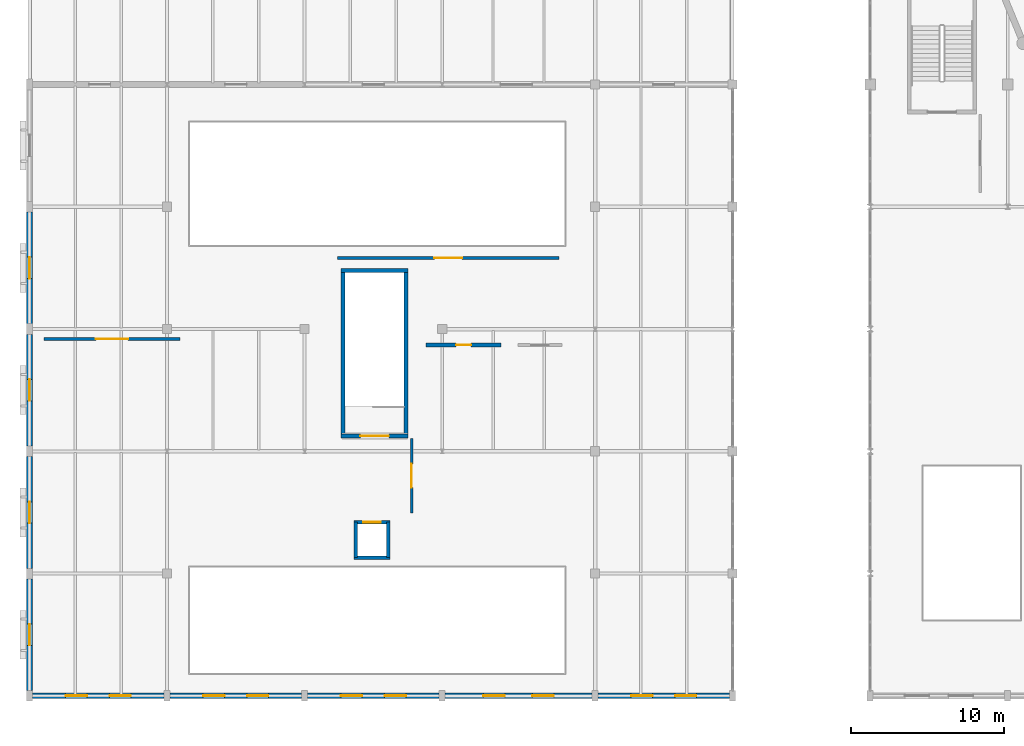
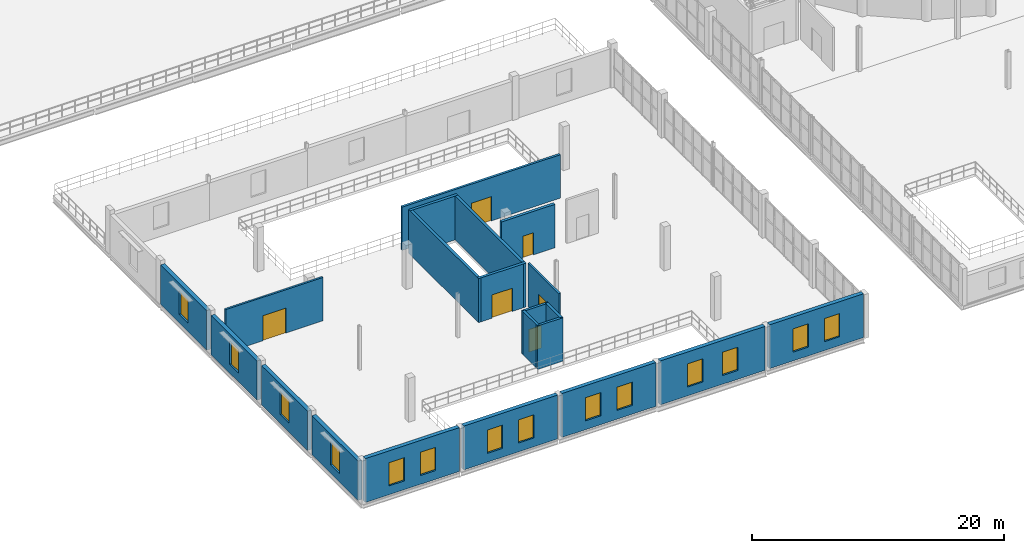
# One storey, part 54 of 73: 21 walls, 14 windows, 6 doors, 20 openings.
"""IFC4 building model written with IfcOpenShell, lengths in metres."""

from ifc_helpers import new_model, si_unit, direction, frame, frame_2d, origin, place, context, subcontext, project, spatial, rectangle, extrude, material, layer, layer_set, type_object, element, fill, save


model = new_model("IFC4")

# Units and contexts
model_context = context("Model", 3, precision=1e-05, world=origin(), true_north=direction((0.0, 1.0)))
body_context = subcontext(model_context, "Body", "Model", "MODEL_VIEW")
ifc_project = project(units=[si_unit("LENGTHUNIT", "METRE"), si_unit("AREAUNIT", "SQUARE_METRE"), si_unit("VOLUMEUNIT", "CUBIC_METRE"), si_unit("PLANEANGLEUNIT", "RADIAN"), si_unit("MASSUNIT", "GRAM", prefix="KILO")], contexts=[model_context])

# Site, building, storey
site_placement = place(None, origin())
site = spatial("IfcSite", under=ifc_project, at=site_placement, CompositionType="ELEMENT")
building_placement = place(site_placement, origin())
building = spatial("IfcBuilding", under=site, at=building_placement, Name="Marnock Terrace Opera House", CompositionType="ELEMENT")
storey_placement = place(building_placement, frame((0.0, 0.0, 14.699951171875)))
storey = spatial("IfcBuildingStorey", under=building, at=storey_placement, Name="L03", CompositionType="ELEMENT", Elevation=14.699951171875)

# Wall, openings, windows
ifc_material_1 = material(Name="Basket Range sandstone ashlar masonry", Category="masonry")
ifc_layer_1 = layer(ifc_material_1, 0.364990234375)
ifc_layer_set_1 = layer_set([ifc_layer_1], Name="Basket Range sandstone ashlar masonry")
wall_type_1 = type_object("IfcWallType", Name="EW-ASHLAR-365", PredefinedType="SOLIDWALL", material=ifc_layer_set_1)
wall_1_placement = place(storey_placement, frame((0.196044921875, 8.0, 0.0), z_axis=(0.0, 0.0, 1.0), x_axis=(1.0, 0.0, 0.0)))
wall_1 = element("IfcWall", 1, at=wall_1_placement, inside=storey, type_object=wall_type_1, Name="L03 Volume 3 south sandstone wall 1", PredefinedType="SOLIDWALL", context=body_context, shape_type="SweptSolid", body=[
    extrude(rectangle(XDim=8.60791015625, YDim=0.364990234375, at=frame_2d((4.303955078125, 0.0))), origin(), (0.0, 0.0, 1.0), 4.25),
])
opening_1_placement = place(wall_1_placement, frame((2.169189453125, 0.0, 0.85009765625)))
opening_1 = element("IfcOpeningElement", 2, at=opening_1_placement, cuts=wall_1, Name="Opening WT-139", PredefinedType="OPENING", context=body_context, shape_type="SweptSolid", body=[
    extrude(rectangle(XDim=1.39990234375, YDim=2.25, at=frame_2d((0.699951171875, 1.125))), frame((0.0, 0.1923828125, 0.0), z_axis=(0.0, -1.0, 0.0), x_axis=(1.0, 0.0, 0.0)), (0.0, 0.0, 1.0), 0.385009765625),
])
opening_2_placement = place(wall_1_placement, frame((5.038818359375, 0.0, 0.85009765625)))
opening_2 = element("IfcOpeningElement", 3, at=opening_2_placement, cuts=wall_1, Name="Opening WT-139", PredefinedType="OPENING", context=body_context, shape_type="SweptSolid", body=[
    extrude(rectangle(XDim=1.39990234375, YDim=2.25, at=frame_2d((0.699951171875, 1.125))), frame((0.0, 0.1923828125, 0.0), z_axis=(0.0, -1.0, 0.0), x_axis=(1.0, 0.0, 0.0)), (0.0, 0.0, 1.0), 0.385009765625),
])
ifc_material_2 = material(Name="Double-glazed acoustic low-E laminated glass", Category="glass")
window_type = type_object("IfcWindowType", Name="WT-SUITE-1400", PartitioningType="SINGLE_PANEL", PredefinedType="WINDOW", material=ifc_material_2)
window_1_placement = place(opening_1_placement, origin())
window_1 = element("IfcWindow", 4, at=window_1_placement, inside=storey, type_object=window_type, Name="L03 facade window EW-V3S-L03-1.1", OverallHeight=2.25, OverallWidth=1.39990234375, PartitioningType="SINGLE_PANEL", PredefinedType="WINDOW", context=body_context, shape_type="SweptSolid", body=[
    extrude(rectangle(XDim=1.39990234375, YDim=2.25, at=frame_2d((0.699951171875, 1.125))), frame((0.0, 0.030029296875, 0.0), z_axis=(0.0, -1.0, 0.0), x_axis=(1.0, 0.0, 0.0)), (0.0, 0.0, 1.0), 0.06005859375),
])
fill(opening_1, window_1)
window_2_placement = place(opening_2_placement, origin())
window_2 = element("IfcWindow", 5, at=window_2_placement, inside=storey, type_object=window_type, Name="L03 facade window EW-V3S-L03-1.2", OverallHeight=2.25, OverallWidth=1.39990234375, PartitioningType="SINGLE_PANEL", PredefinedType="WINDOW", context=body_context, shape_type="SweptSolid", body=[
    extrude(rectangle(XDim=1.39990234375, YDim=2.25, at=frame_2d((0.699951171875, 1.125))), frame((0.0, 0.030029296875, 0.0), z_axis=(0.0, -1.0, 0.0), x_axis=(1.0, 0.0, 0.0)), (0.0, 0.0, 1.0), 0.06005859375),
])
fill(opening_2, window_2)

wall_2_placement = place(storey_placement, frame((9.196044921875, 8.0, 0.0), z_axis=(0.0, 0.0, 1.0), x_axis=(1.0, 0.0, 0.0)))
wall_2 = element("IfcWall", 6, at=wall_2_placement, inside=storey, type_object=wall_type_1, Name="L03 Volume 3 south sandstone wall 2", PredefinedType="SOLIDWALL", context=body_context, shape_type="SweptSolid", body=[
    extrude(rectangle(XDim=8.60791015625, YDim=0.364990234375, at=frame_2d((4.303955078125, 0.0))), origin(), (0.0, 0.0, 1.0), 4.25),
])
opening_3_placement = place(wall_2_placement, frame((2.169189453125, 0.0, 0.85009765625)))
opening_3 = element("IfcOpeningElement", 7, at=opening_3_placement, cuts=wall_2, Name="Opening WT-139", PredefinedType="OPENING", context=body_context, shape_type="SweptSolid", body=[
    extrude(rectangle(XDim=1.39990234375, YDim=2.25, at=frame_2d((0.699951171875, 1.125))), frame((0.0, 0.1923828125, 0.0), z_axis=(0.0, -1.0, 0.0), x_axis=(1.0, 0.0, 0.0)), (0.0, 0.0, 1.0), 0.385009765625),
])
opening_4_placement = place(wall_2_placement, frame((5.038818359375, 0.0, 0.85009765625)))
opening_4 = element("IfcOpeningElement", 8, at=opening_4_placement, cuts=wall_2, Name="Opening WT-139", PredefinedType="OPENING", context=body_context, shape_type="SweptSolid", body=[
    extrude(rectangle(XDim=1.39990234375, YDim=2.25, at=frame_2d((0.699951171875, 1.125))), frame((0.0, 0.1923828125, 0.0), z_axis=(0.0, -1.0, 0.0), x_axis=(1.0, 0.0, 0.0)), (0.0, 0.0, 1.0), 0.385009765625),
])
window_3_placement = place(opening_3_placement, origin())
window_3 = element("IfcWindow", 9, at=window_3_placement, inside=storey, type_object=window_type, Name="L03 facade window EW-V3S-L03-2.1", OverallHeight=2.25, OverallWidth=1.39990234375, PartitioningType="SINGLE_PANEL", PredefinedType="WINDOW", context=body_context, shape_type="SweptSolid", body=[
    extrude(rectangle(XDim=1.39990234375, YDim=2.25, at=frame_2d((0.699951171875, 1.125))), frame((0.0, 0.030029296875, 0.0), z_axis=(0.0, -1.0, 0.0), x_axis=(1.0, 0.0, 0.0)), (0.0, 0.0, 1.0), 0.06005859375),
])
fill(opening_3, window_3)
window_4_placement = place(opening_4_placement, origin())
window_4 = element("IfcWindow", 10, at=window_4_placement, inside=storey, type_object=window_type, Name="L03 facade window EW-V3S-L03-2.2", OverallHeight=2.25, OverallWidth=1.39990234375, PartitioningType="SINGLE_PANEL", PredefinedType="WINDOW", context=body_context, shape_type="SweptSolid", body=[
    extrude(rectangle(XDim=1.39990234375, YDim=2.25, at=frame_2d((0.699951171875, 1.125))), frame((0.0, 0.030029296875, 0.0), z_axis=(0.0, -1.0, 0.0), x_axis=(1.0, 0.0, 0.0)), (0.0, 0.0, 1.0), 0.06005859375),
])
fill(opening_4, window_4)

wall_3_placement = place(storey_placement, frame((18.196044921875, 8.0, 0.0), z_axis=(0.0, 0.0, 1.0), x_axis=(1.0, 0.0, 0.0)))
wall_3 = element("IfcWall", 11, at=wall_3_placement, inside=storey, type_object=wall_type_1, Name="L03 Volume 3 south sandstone wall 3", PredefinedType="SOLIDWALL", context=body_context, shape_type="SweptSolid", body=[
    extrude(rectangle(XDim=8.60791015625, YDim=0.364990234375, at=frame_2d((4.303955078125, 0.0))), origin(), (0.0, 0.0, 1.0), 4.25),
])
opening_5_placement = place(wall_3_placement, frame((2.169189453125, 0.0, 0.85009765625)))
opening_5 = element("IfcOpeningElement", 12, at=opening_5_placement, cuts=wall_3, Name="Opening WT-139", PredefinedType="OPENING", context=body_context, shape_type="SweptSolid", body=[
    extrude(rectangle(XDim=1.39990234375, YDim=2.25, at=frame_2d((0.699951171875, 1.125))), frame((0.0, 0.1923828125, 0.0), z_axis=(0.0, -1.0, 0.0), x_axis=(1.0, 0.0, 0.0)), (0.0, 0.0, 1.0), 0.385009765625),
])
opening_6_placement = place(wall_3_placement, frame((5.038818359375, 0.0, 0.85009765625)))
opening_6 = element("IfcOpeningElement", 13, at=opening_6_placement, cuts=wall_3, Name="Opening WT-139", PredefinedType="OPENING", context=body_context, shape_type="SweptSolid", body=[
    extrude(rectangle(XDim=1.39990234375, YDim=2.25, at=frame_2d((0.699951171875, 1.125))), frame((0.0, 0.1923828125, 0.0), z_axis=(0.0, -1.0, 0.0), x_axis=(1.0, 0.0, 0.0)), (0.0, 0.0, 1.0), 0.385009765625),
])
window_5_placement = place(opening_5_placement, origin())
window_5 = element("IfcWindow", 14, at=window_5_placement, inside=storey, type_object=window_type, Name="L03 facade window EW-V3S-L03-3.1", OverallHeight=2.25, OverallWidth=1.39990234375, PartitioningType="SINGLE_PANEL", PredefinedType="WINDOW", context=body_context, shape_type="SweptSolid", body=[
    extrude(rectangle(XDim=1.39990234375, YDim=2.25, at=frame_2d((0.699951171875, 1.125))), frame((0.0, 0.030029296875, 0.0), z_axis=(0.0, -1.0, 0.0), x_axis=(1.0, 0.0, 0.0)), (0.0, 0.0, 1.0), 0.06005859375),
])
fill(opening_5, window_5)
window_6_placement = place(opening_6_placement, origin())
window_6 = element("IfcWindow", 15, at=window_6_placement, inside=storey, type_object=window_type, Name="L03 facade window EW-V3S-L03-3.2", OverallHeight=2.25, OverallWidth=1.39990234375, PartitioningType="SINGLE_PANEL", PredefinedType="WINDOW", context=body_context, shape_type="SweptSolid", body=[
    extrude(rectangle(XDim=1.39990234375, YDim=2.25, at=frame_2d((0.699951171875, 1.125))), frame((0.0, 0.030029296875, 0.0), z_axis=(0.0, -1.0, 0.0), x_axis=(1.0, 0.0, 0.0)), (0.0, 0.0, 1.0), 0.06005859375),
])
fill(opening_6, window_6)

wall_4_placement = place(storey_placement, frame((27.196044921875, 8.0, 0.0), z_axis=(0.0, 0.0, 1.0), x_axis=(1.0, 0.0, 0.0)))
wall_4 = element("IfcWall", 16, at=wall_4_placement, inside=storey, type_object=wall_type_1, Name="L03 Volume 3 south sandstone wall 4", PredefinedType="SOLIDWALL", context=body_context, shape_type="SweptSolid", body=[
    extrude(rectangle(XDim=9.60791015625, YDim=0.364990234375, at=frame_2d((4.803955078125, 0.0))), origin(), (0.0, 0.0, 1.0), 4.25),
])
opening_7_placement = place(wall_4_placement, frame((2.502685546875, 0.0, 0.85009765625)))
opening_7 = element("IfcOpeningElement", 17, at=opening_7_placement, cuts=wall_4, Name="Opening WT-139", PredefinedType="OPENING", context=body_context, shape_type="SweptSolid", body=[
    extrude(rectangle(XDim=1.39990234375, YDim=2.25, at=frame_2d((0.699951171875, 1.125))), frame((0.0, 0.1923828125, 0.0), z_axis=(0.0, -1.0, 0.0), x_axis=(1.0, 0.0, 0.0)), (0.0, 0.0, 1.0), 0.385009765625),
])
opening_8_placement = place(wall_4_placement, frame((5.705322265625, 0.0, 0.85009765625)))
opening_8 = element("IfcOpeningElement", 18, at=opening_8_placement, cuts=wall_4, Name="Opening WT-139", PredefinedType="OPENING", context=body_context, shape_type="SweptSolid", body=[
    extrude(rectangle(XDim=1.39990234375, YDim=2.25, at=frame_2d((0.699951171875, 1.125))), frame((0.0, 0.1923828125, 0.0), z_axis=(0.0, -1.0, 0.0), x_axis=(1.0, 0.0, 0.0)), (0.0, 0.0, 1.0), 0.385009765625),
])
window_7_placement = place(opening_7_placement, origin())
window_7 = element("IfcWindow", 19, at=window_7_placement, inside=storey, type_object=window_type, Name="L03 facade window EW-V3S-L03-4.1", OverallHeight=2.25, OverallWidth=1.39990234375, PartitioningType="SINGLE_PANEL", PredefinedType="WINDOW", context=body_context, shape_type="SweptSolid", body=[
    extrude(rectangle(XDim=1.39990234375, YDim=2.25, at=frame_2d((0.699951171875, 1.125))), frame((0.0, 0.030029296875, 0.0), z_axis=(0.0, -1.0, 0.0), x_axis=(1.0, 0.0, 0.0)), (0.0, 0.0, 1.0), 0.06005859375),
])
fill(opening_7, window_7)
window_8_placement = place(opening_8_placement, origin())
window_8 = element("IfcWindow", 20, at=window_8_placement, inside=storey, type_object=window_type, Name="L03 facade window EW-V3S-L03-4.2", OverallHeight=2.25, OverallWidth=1.39990234375, PartitioningType="SINGLE_PANEL", PredefinedType="WINDOW", context=body_context, shape_type="SweptSolid", body=[
    extrude(rectangle(XDim=1.39990234375, YDim=2.25, at=frame_2d((0.699951171875, 1.125))), frame((0.0, 0.030029296875, 0.0), z_axis=(0.0, -1.0, 0.0), x_axis=(1.0, 0.0, 0.0)), (0.0, 0.0, 1.0), 0.06005859375),
])
fill(opening_8, window_8)

wall_5_placement = place(storey_placement, frame((37.196044921875, 8.0, 0.0), z_axis=(0.0, 0.0, 1.0), x_axis=(1.0, 0.0, 0.0)))
wall_5 = element("IfcWall", 21, at=wall_5_placement, inside=storey, type_object=wall_type_1, Name="L03 Volume 3 south sandstone wall 5", PredefinedType="SOLIDWALL", context=body_context, shape_type="SweptSolid", body=[
    extrude(rectangle(XDim=8.60791015625, YDim=0.364990234375, at=frame_2d((4.303955078125, 0.0))), origin(), (0.0, 0.0, 1.0), 4.25),
])
opening_9_placement = place(wall_5_placement, frame((2.169189453125, 0.0, 0.85009765625)))
opening_9 = element("IfcOpeningElement", 22, at=opening_9_placement, cuts=wall_5, Name="Opening WT-139", PredefinedType="OPENING", context=body_context, shape_type="SweptSolid", body=[
    extrude(rectangle(XDim=1.39990234375, YDim=2.25, at=frame_2d((0.699951171875, 1.125))), frame((0.0, 0.1923828125, 0.0), z_axis=(0.0, -1.0, 0.0), x_axis=(1.0, 0.0, 0.0)), (0.0, 0.0, 1.0), 0.385009765625),
])
opening_10_placement = place(wall_5_placement, frame((5.038818359375, 0.0, 0.85009765625)))
opening_10 = element("IfcOpeningElement", 23, at=opening_10_placement, cuts=wall_5, Name="Opening WT-139", PredefinedType="OPENING", context=body_context, shape_type="SweptSolid", body=[
    extrude(rectangle(XDim=1.39990234375, YDim=2.25, at=frame_2d((0.699951171875, 1.125))), frame((0.0, 0.1923828125, 0.0), z_axis=(0.0, -1.0, 0.0), x_axis=(1.0, 0.0, 0.0)), (0.0, 0.0, 1.0), 0.385009765625),
])
window_9_placement = place(opening_9_placement, origin())
window_9 = element("IfcWindow", 24, at=window_9_placement, inside=storey, type_object=window_type, Name="L03 facade window EW-V3S-L03-5.1", OverallHeight=2.25, OverallWidth=1.39990234375, PartitioningType="SINGLE_PANEL", PredefinedType="WINDOW", context=body_context, shape_type="SweptSolid", body=[
    extrude(rectangle(XDim=1.39990234375, YDim=2.25, at=frame_2d((0.699951171875, 1.125))), frame((0.0, 0.030029296875, 0.0), z_axis=(0.0, -1.0, 0.0), x_axis=(1.0, 0.0, 0.0)), (0.0, 0.0, 1.0), 0.06005859375),
])
fill(opening_9, window_9)
window_10_placement = place(opening_10_placement, origin())
window_10 = element("IfcWindow", 25, at=window_10_placement, inside=storey, type_object=window_type, Name="L03 facade window EW-V3S-L03-5.2", OverallHeight=2.25, OverallWidth=1.39990234375, PartitioningType="SINGLE_PANEL", PredefinedType="WINDOW", context=body_context, shape_type="SweptSolid", body=[
    extrude(rectangle(XDim=1.39990234375, YDim=2.25, at=frame_2d((0.699951171875, 1.125))), frame((0.0, 0.030029296875, 0.0), z_axis=(0.0, -1.0, 0.0), x_axis=(1.0, 0.0, 0.0)), (0.0, 0.0, 1.0), 0.06005859375),
])
fill(opening_10, window_10)

# Wall, opening, window
wall_6_placement = place(storey_placement, frame((0.0, 8.345947265625, 0.0), z_axis=(0.0, 0.0, 1.0), x_axis=(0.0, 1.0, 0.0)))
wall_6 = element("IfcWall", 26, at=wall_6_placement, inside=storey, type_object=wall_type_1, Name="L03 Volume 3 west sandstone wall 1", PredefinedType="SOLIDWALL", context=body_context, shape_type="SweptSolid", body=[
    extrude(rectangle(XDim=7.30810546875, YDim=0.364990234375, at=frame_2d((3.654052734375, 0.0))), origin(), (0.0, 0.0, 1.0), 3.804443359375),
])
opening_11_placement = place(wall_6_placement, frame((2.9541015625, 0.0, 0.85009765625)))
opening_11 = element("IfcOpeningElement", 27, at=opening_11_placement, cuts=wall_6, Name="Opening WT-139", PredefinedType="OPENING", context=body_context, shape_type="SweptSolid", body=[
    extrude(rectangle(XDim=1.39990234375, YDim=2.25, at=frame_2d((0.699951171875, 1.125))), frame((0.0, 0.1923828125, 0.0), z_axis=(0.0, -1.0, 0.0), x_axis=(1.0, 0.0, 0.0)), (0.0, 0.0, 1.0), 0.385009765625),
])
window_11_placement = place(opening_11_placement, origin())
window_11 = element("IfcWindow", 28, at=window_11_placement, inside=storey, type_object=window_type, Name="L03 facade window EW-V3W-L03-1.1", OverallHeight=2.25, OverallWidth=1.39990234375, PartitioningType="SINGLE_PANEL", PredefinedType="WINDOW", context=body_context, shape_type="SweptSolid", body=[
    extrude(rectangle(XDim=1.39990234375, YDim=2.25, at=frame_2d((0.699951171875, 1.125))), frame((0.0, 0.030029296875, 0.0), z_axis=(0.0, -1.0, 0.0), x_axis=(1.0, 0.0, 0.0)), (0.0, 0.0, 1.0), 0.06005859375),
])
fill(opening_11, window_11)

wall_7_placement = place(storey_placement, frame((0.0, 16.345947265625, 0.0), z_axis=(0.0, 0.0, 1.0), x_axis=(0.0, 1.0, 0.0)))
wall_7 = element("IfcWall", 29, at=wall_7_placement, inside=storey, type_object=wall_type_1, Name="L03 Volume 3 west sandstone wall 2", PredefinedType="SOLIDWALL", context=body_context, shape_type="SweptSolid", body=[
    extrude(rectangle(XDim=7.30810546875, YDim=0.364990234375, at=frame_2d((3.654052734375, 0.0))), origin(), (0.0, 0.0, 1.0), 3.804443359375),
])
opening_12_placement = place(wall_7_placement, frame((2.9541015625, 0.0, 0.85009765625)))
opening_12 = element("IfcOpeningElement", 30, at=opening_12_placement, cuts=wall_7, Name="Opening WT-139", PredefinedType="OPENING", context=body_context, shape_type="SweptSolid", body=[
    extrude(rectangle(XDim=1.39990234375, YDim=2.25, at=frame_2d((0.699951171875, 1.125))), frame((0.0, 0.1923828125, 0.0), z_axis=(0.0, -1.0, 0.0), x_axis=(1.0, 0.0, 0.0)), (0.0, 0.0, 1.0), 0.385009765625),
])
window_12_placement = place(opening_12_placement, origin())
window_12 = element("IfcWindow", 31, at=window_12_placement, inside=storey, type_object=window_type, Name="L03 facade window EW-V3W-L03-2.1", OverallHeight=2.25, OverallWidth=1.39990234375, PartitioningType="SINGLE_PANEL", PredefinedType="WINDOW", context=body_context, shape_type="SweptSolid", body=[
    extrude(rectangle(XDim=1.39990234375, YDim=2.25, at=frame_2d((0.699951171875, 1.125))), frame((0.0, 0.030029296875, 0.0), z_axis=(0.0, -1.0, 0.0), x_axis=(1.0, 0.0, 0.0)), (0.0, 0.0, 1.0), 0.06005859375),
])
fill(opening_12, window_12)

wall_8_placement = place(storey_placement, frame((0.0, 24.345947265625, 0.0), z_axis=(0.0, 0.0, 1.0), x_axis=(0.0, 1.0, 0.0)))
wall_8 = element("IfcWall", 32, at=wall_8_placement, inside=storey, type_object=wall_type_1, Name="L03 Volume 3 west sandstone wall 3", PredefinedType="SOLIDWALL", context=body_context, shape_type="SweptSolid", body=[
    extrude(rectangle(XDim=7.30810546875, YDim=0.364990234375, at=frame_2d((3.654052734375, 0.0))), origin(), (0.0, 0.0, 1.0), 3.804443359375),
])
opening_13_placement = place(wall_8_placement, frame((2.9541015625, 0.0, 0.85009765625)))
opening_13 = element("IfcOpeningElement", 33, at=opening_13_placement, cuts=wall_8, Name="Opening WT-139", PredefinedType="OPENING", context=body_context, shape_type="SweptSolid", body=[
    extrude(rectangle(XDim=1.39990234375, YDim=2.25, at=frame_2d((0.699951171875, 1.125))), frame((0.0, 0.1923828125, 0.0), z_axis=(0.0, -1.0, 0.0), x_axis=(1.0, 0.0, 0.0)), (0.0, 0.0, 1.0), 0.385009765625),
])
window_13_placement = place(opening_13_placement, origin())
window_13 = element("IfcWindow", 34, at=window_13_placement, inside=storey, type_object=window_type, Name="L03 facade window EW-V3W-L03-3.1", OverallHeight=2.25, OverallWidth=1.39990234375, PartitioningType="SINGLE_PANEL", PredefinedType="WINDOW", context=body_context, shape_type="SweptSolid", body=[
    extrude(rectangle(XDim=1.39990234375, YDim=2.25, at=frame_2d((0.699951171875, 1.125))), frame((0.0, 0.030029296875, 0.0), z_axis=(0.0, -1.0, 0.0), x_axis=(1.0, 0.0, 0.0)), (0.0, 0.0, 1.0), 0.06005859375),
])
fill(opening_13, window_13)

wall_9_placement = place(storey_placement, frame((0.0, 32.345947265625, 0.0), z_axis=(0.0, 0.0, 1.0), x_axis=(0.0, 1.0, 0.0)))
wall_9 = element("IfcWall", 35, at=wall_9_placement, inside=storey, type_object=wall_type_1, Name="L03 Volume 3 west sandstone wall 4", PredefinedType="SOLIDWALL", context=body_context, shape_type="SweptSolid", body=[
    extrude(rectangle(XDim=7.30810546875, YDim=0.364990234375, at=frame_2d((3.654052734375, 0.0))), origin(), (0.0, 0.0, 1.0), 3.841552734375),
])
opening_14_placement = place(wall_9_placement, frame((2.9541015625, 0.0, 0.85009765625)))
opening_14 = element("IfcOpeningElement", 36, at=opening_14_placement, cuts=wall_9, Name="Opening WT-139", PredefinedType="OPENING", context=body_context, shape_type="SweptSolid", body=[
    extrude(rectangle(XDim=1.39990234375, YDim=2.25, at=frame_2d((0.699951171875, 1.125))), frame((0.0, 0.1923828125, 0.0), z_axis=(0.0, -1.0, 0.0), x_axis=(1.0, 0.0, 0.0)), (0.0, 0.0, 1.0), 0.385009765625),
])
window_14_placement = place(opening_14_placement, origin())
window_14 = element("IfcWindow", 37, at=window_14_placement, inside=storey, type_object=window_type, Name="L03 facade window EW-V3W-L03-4.1", OverallHeight=2.25, OverallWidth=1.39990234375, PartitioningType="SINGLE_PANEL", PredefinedType="WINDOW", context=body_context, shape_type="SweptSolid", body=[
    extrude(rectangle(XDim=1.39990234375, YDim=2.25, at=frame_2d((0.699951171875, 1.125))), frame((0.0, 0.030029296875, 0.0), z_axis=(0.0, -1.0, 0.0), x_axis=(1.0, 0.0, 0.0)), (0.0, 0.0, 1.0), 0.06005859375),
])
fill(opening_14, window_14)

# Wall, opening, door
ifc_material_3 = material(Name="Double-stud acoustic plasterboard with mineral-wool infill")
ifc_layer_2 = layer(ifc_material_3, 0.2099609375)
ifc_layer_set_2 = layer_set([ifc_layer_2], Name="Double-stud acoustic plasterboard with mineral-wool infill")
wall_type_2 = type_object("IfcWallType", Name="IW-ACOUSTIC-210", PredefinedType="PARTITIONING", material=ifc_layer_set_2)
wall_10_placement = place(storey_placement, frame((20.14990234375, 36.64990234375, 0.0), z_axis=(0.0, 0.0, 1.0), x_axis=(1.0, 0.0, 0.0)))
wall_10 = element("IfcWall", 38, at=wall_10_placement, inside=storey, type_object=wall_type_2, Name="L03 West Wing Rehearsal Lounge acoustic partition wall", PredefinedType="PARTITIONING", context=body_context, shape_type="SweptSolid", body=[
    extrude(rectangle(XDim=14.5, YDim=0.2099609375, at=frame_2d((7.25, 0.0))), origin(), (0.0, 0.0, 1.0), 4.199951171875),
])
opening_15_placement = place(wall_10_placement, frame((6.340087890625, 0.0, 0.0)))
opening_15 = element("IfcOpeningElement", 39, at=opening_15_placement, cuts=wall_10, Name="Opening D-L03-10", PredefinedType="OPENING", context=body_context, shape_type="SweptSolid", body=[
    extrude(rectangle(XDim=1.820068359375, YDim=2.35009765625, at=frame_2d((0.91015625, 1.175048828125))), frame((0.0, 0.114990234375, 0.0), z_axis=(0.0, -1.0, 0.0), x_axis=(1.0, 0.0, 0.0)), (0.0, 0.0, 1.0), 0.22998046875),
])
ifc_material_4 = material(Name="Solid-core Tasmanian oak acoustic door leaf")
door_type_1 = type_object("IfcDoorType", Name="DT-REHEARS-1820", OperationType="NOTDEFINED", PredefinedType="DOOR", material=ifc_material_4)
door_1_placement = place(opening_15_placement, origin())
door_1 = element("IfcDoor", 40, at=door_1_placement, inside=storey, type_object=door_type_1, Name="L03 West Wing Rehearsal Lounge entrance door", OperationType="DOUBLE_DOOR_SINGLE_SWING", OverallHeight=2.35009765625, OverallWidth=1.820068359375, PredefinedType="DOOR", context=body_context, shape_type="SweptSolid", body=[
    extrude(rectangle(XDim=1.820068359375, YDim=2.35009765625, at=frame_2d((0.91015625, 1.175048828125))), frame((0.0, 0.02490234375, 0.0), z_axis=(0.0, -1.0, 0.0), x_axis=(1.0, 0.0, 0.0)), (0.0, 0.0, 1.0), 0.050048828125),
])
fill(opening_15, door_1)

ifc_material_5 = material(Name="Rendered acoustic concrete blockwork", Category="masonry")
ifc_layer_3 = layer(ifc_material_5, 0.175048828125)
ifc_layer_set_3 = layer_set([ifc_layer_3], Name="Rendered acoustic concrete blockwork")
wall_type_3 = type_object("IfcWallType", Name="IW-FIRE-175", PredefinedType="PARTITIONING", material=ifc_layer_set_3)
wall_11_placement = place(storey_placement, frame((25.0, 19.949951171875, 0.0), z_axis=(0.0, 0.0, 1.0), x_axis=(0.0, 1.0, 0.0)))
wall_11 = element("IfcWall", 41, at=wall_11_placement, inside=storey, type_object=wall_type_3, Name="L03 C5 fire-rated lift and stair lobby wall", PredefinedType="PARTITIONING", context=body_context, shape_type="SweptSolid", body=[
    extrude(rectangle(XDim=4.900146484375, YDim=0.175048828125, at=frame_2d((2.4501953125, 0.0))), origin(), (0.0, 0.0, 1.0), 4.199951171875),
])
opening_16_placement = place(wall_11_placement, frame((1.675048828125, 0.0, 0.0)))
opening_16 = element("IfcOpeningElement", 42, at=opening_16_placement, cuts=wall_11, Name="Opening FD-C5-L03", PredefinedType="OPENING", context=body_context, shape_type="SweptSolid", body=[
    extrude(rectangle(XDim=1.550048828125, YDim=2.219970703125, at=frame_2d((0.77490234375, 1.10986328125))), frame((0.0, 0.097412109375, 0.0), z_axis=(0.0, -1.0, 0.0), x_axis=(1.0, 0.0, 0.0)), (0.0, 0.0, 1.0), 0.195068359375),
])
ifc_material_6 = material(Name="Fire-rated acoustic timber-core door assembly", Category="wood")
door_type_2 = type_object("IfcDoorType", Name="DT-LOBBY-1550", OperationType="NOTDEFINED", PredefinedType="DOOR", material=ifc_material_6)
door_2_placement = place(opening_16_placement, origin())
door_2 = element("IfcDoor", 43, at=door_2_placement, inside=storey, type_object=door_type_2, Name="L03 C5 lobby self-closing smoke door", OperationType="SINGLE_SWING_RIGHT", OverallHeight=2.219970703125, OverallWidth=1.550048828125, PredefinedType="DOOR", context=body_context, shape_type="SweptSolid", body=[
    extrude(rectangle(XDim=1.550048828125, YDim=2.219970703125, at=frame_2d((0.77490234375, 1.10986328125))), frame((0.0, 0.02490234375, 0.0), z_axis=(0.0, -1.0, 0.0), x_axis=(1.0, 0.0, 0.0)), (0.0, 0.0, 1.0), 0.050048828125),
])
fill(opening_16, door_2)

wall_12_placement = place(storey_placement, frame((0.949951171875, 31.35009765625, 0.0), z_axis=(0.0, 0.0, 1.0), x_axis=(1.0, 0.0, 0.0)))
wall_12 = element("IfcWall", 44, at=wall_12_placement, inside=storey, type_object=wall_type_3, Name="L03 Opera Education Recital Studio acoustic partition wall", PredefinedType="PARTITIONING", context=body_context, shape_type="SweptSolid", body=[
    extrude(rectangle(XDim=8.900146484375, YDim=0.175048828125, at=frame_2d((4.4501953125, 0.0))), origin(), (0.0, 0.0, 1.0), 4.199951171875),
])
opening_17_placement = place(wall_12_placement, frame((3.39990234375, 0.0, 0.0)))
opening_17 = element("IfcOpeningElement", 45, at=opening_17_placement, cuts=wall_12, Name="Opening D-L03-07", PredefinedType="OPENING", context=body_context, shape_type="SweptSolid", body=[
    extrude(rectangle(XDim=2.10009765625, YDim=2.419921875, at=frame_2d((1.050048828125, 1.2099609375))), frame((0.0, 0.097412109375, 0.0), z_axis=(0.0, -1.0, 0.0), x_axis=(1.0, 0.0, 0.0)), (0.0, 0.0, 1.0), 0.195068359375),
])
door_type_3 = type_object("IfcDoorType", Name="DT-REHEARS-2100", OperationType="NOTDEFINED", PredefinedType="DOOR", material=ifc_material_4)
door_3_placement = place(opening_17_placement, origin())
door_3 = element("IfcDoor", 46, at=door_3_placement, inside=storey, type_object=door_type_3, Name="L03 Opera Education Recital Studio entrance door", OperationType="DOUBLE_DOOR_SINGLE_SWING", OverallHeight=2.419921875, OverallWidth=2.10009765625, PredefinedType="DOOR", context=body_context, shape_type="SweptSolid", body=[
    extrude(rectangle(XDim=2.10009765625, YDim=2.419921875, at=frame_2d((1.050048828125, 1.2099609375))), frame((0.0, 0.02490234375, 0.0), z_axis=(0.0, -1.0, 0.0), x_axis=(1.0, 0.0, 0.0)), (0.0, 0.0, 1.0), 0.050048828125),
])
fill(opening_17, door_3)

ifc_material_7 = material(Name="Moisture-resistant tiled service duct framing")
ifc_layer_4 = layer(ifc_material_7, 0.264892578125)
ifc_layer_set_4 = layer_set([ifc_layer_4], Name="Moisture-resistant tiled service duct framing")
wall_type_4 = type_object("IfcWallType", Name="IW-PLUMB-265", PredefinedType="PLUMBINGWALL", material=ifc_layer_set_4)
wall_13_placement = place(storey_placement, frame((25.949951171875, 30.949951171875, 0.0), z_axis=(0.0, 0.0, 1.0), x_axis=(1.0, 0.0, 0.0)))
wall_13 = element("IfcWall", 47, at=wall_13_placement, inside=storey, type_object=wall_type_4, Name="L03 Public WC L03 West acoustic partition wall", PredefinedType="PLUMBINGWALL", context=body_context, shape_type="SweptSolid", body=[
    extrude(rectangle(XDim=4.900146484375, YDim=0.264892578125, at=frame_2d((2.4501953125, 0.0))), origin(), (0.0, 0.0, 1.0), 4.199951171875),
])
opening_18_placement = place(wall_13_placement, frame((1.9599609375, 0.0, 0.0)))
opening_18 = element("IfcOpeningElement", 48, at=opening_18_placement, cuts=wall_13, Name="Opening D-L03-17", PredefinedType="OPENING", context=body_context, shape_type="SweptSolid", body=[
    extrude(rectangle(XDim=0.97998046875, YDim=2.139892578125, at=frame_2d((0.489990234375, 1.06982421875))), frame((0.0, 0.142333984375, 0.0), z_axis=(0.0, -1.0, 0.0), x_axis=(1.0, 0.0, 0.0)), (0.0, 0.0, 1.0), 0.284912109375),
])
door_type_4 = type_object("IfcDoorType", Name="DT-WC-980", OperationType="NOTDEFINED", PredefinedType="DOOR", material=ifc_material_4)
door_4_placement = place(opening_18_placement, origin())
door_4 = element("IfcDoor", 49, at=door_4_placement, inside=storey, type_object=door_type_4, Name="L03 Public WC L03 West entrance door", OperationType="SINGLE_SWING_RIGHT", OverallHeight=2.139892578125, OverallWidth=0.97998046875, PredefinedType="DOOR", context=body_context, shape_type="SweptSolid", body=[
    extrude(rectangle(XDim=0.97998046875, YDim=2.139892578125, at=frame_2d((0.489990234375, 1.06982421875))), frame((0.0, 0.02490234375, 0.0), z_axis=(0.0, -1.0, 0.0), x_axis=(1.0, 0.0, 0.0)), (0.0, 0.0, 1.0), 0.050048828125),
])
fill(opening_18, door_4)

ifc_layer_5 = layer(ifc_material_5, 0.22509765625)
ifc_layer_set_5 = layer_set([ifc_layer_5], Name="Rendered acoustic concrete blockwork")
wall_type_5 = type_object("IfcWallType", Name="IW-SHAFT-225", PredefinedType="SOLIDWALL", material=ifc_layer_set_5)
wall_14_placement = place(storey_placement, frame((21.2275390625, 19.360107421875, 0.0), z_axis=(0.0, 0.0, 1.0), x_axis=(1.0, 0.0, 0.0)))
wall_14 = element("IfcWall", 50, at=wall_14_placement, inside=storey, type_object=wall_type_5, Name="L03 Lift PL-05 front shaft wall", PredefinedType="SOLIDWALL", context=body_context, shape_type="SweptSolid", body=[
    extrude(rectangle(XDim=2.344970703125, YDim=0.22509765625, at=frame_2d((1.17236328125, 0.0))), origin(), (0.0, 0.0, 1.0), 4.199951171875),
])
opening_19_placement = place(wall_14_placement, frame((0.597412109375, 0.0, 0.0)))
opening_19 = element("IfcOpeningElement", 51, at=opening_19_placement, cuts=wall_14, Name="Opening LD-PL-05-L03", PredefinedType="OPENING", context=body_context, shape_type="SweptSolid", body=[
    extrude(rectangle(XDim=1.14990234375, YDim=2.199951171875, at=frame_2d((0.574951171875, 1.10009765625))), frame((0.0, 0.12255859375, 0.0), z_axis=(0.0, -1.0, 0.0), x_axis=(1.0, 0.0, 0.0)), (0.0, 0.0, 1.0), 0.2451171875),
])
ifc_material_8 = material(Name="Brushed stainless steel landing door assembly", Category="steel")
door_type_5 = type_object("IfcDoorType", Name="DT-LIFT-1150", OperationType="NOTDEFINED", PredefinedType="DOOR", material=ifc_material_8)
door_5_placement = place(opening_19_placement, origin())
door_5 = element("IfcDoor", 52, at=door_5_placement, inside=storey, type_object=door_type_5, Name="L03 Lift PL-05 sliding landing door", OperationType="DOUBLE_DOOR_SLIDING", OverallHeight=2.199951171875, OverallWidth=1.14990234375, PredefinedType="DOOR", context=body_context, shape_type="SweptSolid", body=[
    extrude(rectangle(XDim=1.14990234375, YDim=2.199951171875, at=frame_2d((0.574951171875, 1.10009765625))), frame((0.0, 0.02490234375, 0.0), z_axis=(0.0, -1.0, 0.0), x_axis=(1.0, 0.0, 0.0)), (0.0, 0.0, 1.0), 0.050048828125),
])
fill(opening_19, door_5)

# Walls
wall_15_placement = place(storey_placement, frame((21.2275390625, 17.0400390625, 0.0), z_axis=(0.0, 0.0, 1.0), x_axis=(1.0, 0.0, 0.0)))
element("IfcWall", 53, at=wall_15_placement, inside=storey, type_object=wall_type_5, Name="L03 Lift PL-05 rear shaft wall", PredefinedType="SOLIDWALL", context=body_context, shape_type="SweptSolid", body=[
    extrude(rectangle(XDim=2.344970703125, YDim=0.22509765625, at=frame_2d((1.17236328125, 0.0))), origin(), (0.0, 0.0, 1.0), 4.199951171875),
])
for number, where, z_axis, x_axis, name in (
    (54, (21.340087890625, 17.0400390625, 0.0), (0.0, 0.0, 1.0), (0.0, 1.0, 0.0), "L03 Lift PL-05 west shaft wall"),
    (55, (23.4599609375, 17.0400390625, 0.0), (0.0, 0.0, 1.0), (0.0, 1.0, 0.0), "L03 Lift PL-05 east shaft wall"),
):
    element("IfcWall", number, at=place(storey_placement, frame(where, z_axis=z_axis, x_axis=x_axis)), inside=storey, type_object=wall_type_5, Name=name, PredefinedType="SOLIDWALL", context=body_context, shape_type="SweptSolid", body=[
        extrude(rectangle(XDim=2.320068359375, YDim=0.22509765625, at=frame_2d((1.16015625, 0.0))), origin(), (0.0, 0.0, 1.0), 4.199951171875),
    ])

# Wall, opening, door
ifc_material_9 = material(Name="Concrete N40 (f'c = 40 MPa)", Category="concrete")
ifc_layer_6 = layer(ifc_material_9, 0.25)
ifc_layer_set_6 = layer_set([ifc_layer_6], Name="Concrete N40 (f'c = 40 MPa)")
wall_type_6 = type_object("IfcWallType", Name="SW-CORE-250", PredefinedType="SHEAR", material=ifc_layer_set_6)
wall_16_placement = place(storey_placement, frame((20.39501953125, 25.0, 0.0), z_axis=(0.0, 0.0, 1.0), x_axis=(1.0, 0.0, 0.0)))
wall_16 = element("IfcWall", 56, at=wall_16_placement, inside=storey, type_object=wall_type_6, Name="L03 Core C5 FRL 120/120/120 shear wall S", PredefinedType="SHEAR", context=body_context, shape_type="SweptSolid", body=[
    extrude(rectangle(XDim=4.369873046875, YDim=0.25, at=frame_2d((2.18505859375, 0.0))), origin(), (0.0, 0.0, 1.0), 4.25),
])
opening_20_placement = place(wall_16_placement, frame((1.260009765625, 0.0, 0.0)))
opening_20 = element("IfcOpeningElement", 57, at=opening_20_placement, cuts=wall_16, Name="Opening SD-C5-L03", PredefinedType="OPENING", context=body_context, shape_type="SweptSolid", body=[
    extrude(rectangle(XDim=1.85009765625, YDim=2.25, at=frame_2d((0.925048828125, 1.125))), frame((0.0, 0.135009765625, 0.0), z_axis=(0.0, -1.0, 0.0), x_axis=(1.0, 0.0, 0.0)), (0.0, 0.0, 1.0), 0.27001953125),
])
door_type_6 = type_object("IfcDoorType", Name="DT-STAIR-1850", OperationType="NOTDEFINED", PredefinedType="DOOR", material=ifc_material_6)
door_6_placement = place(opening_20_placement, origin())
door_6 = element("IfcDoor", 58, at=door_6_placement, inside=storey, type_object=door_type_6, Name="L03 Stair ST-05 fire-isolated exit door", OperationType="SINGLE_SWING_LEFT", OverallHeight=2.25, OverallWidth=1.85009765625, PredefinedType="DOOR", context=body_context, shape_type="SweptSolid", body=[
    extrude(rectangle(XDim=1.85009765625, YDim=2.25, at=frame_2d((0.925048828125, 1.125))), frame((0.0, 0.02490234375, 0.0), z_axis=(0.0, -1.0, 0.0), x_axis=(1.0, 0.0, 0.0)), (0.0, 0.0, 1.0), 0.050048828125),
])
fill(opening_20, door_6)

# Walls
wall_17_placement = place(storey_placement, frame((20.39501953125, 35.840087890625, 0.0), z_axis=(0.0, 0.0, 1.0), x_axis=(1.0, 0.0, 0.0)))
element("IfcWall", 59, at=wall_17_placement, inside=storey, type_object=wall_type_6, Name="L03 Core C5 FRL 120/120/120 shear wall N", PredefinedType="SHEAR", context=body_context, shape_type="SweptSolid", body=[
    extrude(rectangle(XDim=4.369873046875, YDim=0.25, at=frame_2d((2.18505859375, 0.0))), origin(), (0.0, 0.0, 1.0), 4.25),
])
for number, where, z_axis, x_axis, name in (
    (60, (20.52001953125, 24.875, 0.0), (0.0, 0.0, 1.0), (0.0, 1.0, 0.0), "L03 Core C5 FRL 120/120/120 shear wall W"),
    (61, (24.639892578125, 24.875, 0.0), (0.0, 0.0, 1.0), (0.0, 1.0, 0.0), "L03 Core C5 FRL 120/120/120 shear wall E"),
):
    element("IfcWall", number, at=place(storey_placement, frame(where, z_axis=z_axis, x_axis=x_axis)), inside=storey, type_object=wall_type_6, Name=name, PredefinedType="SHEAR", context=body_context, shape_type="SweptSolid", body=[
        extrude(rectangle(XDim=11.090087890625, YDim=0.25, at=frame_2d((5.544921875, 0.0))), origin(), (0.0, 0.0, 1.0), 4.25),
    ])

save(model, "model.ifc")
